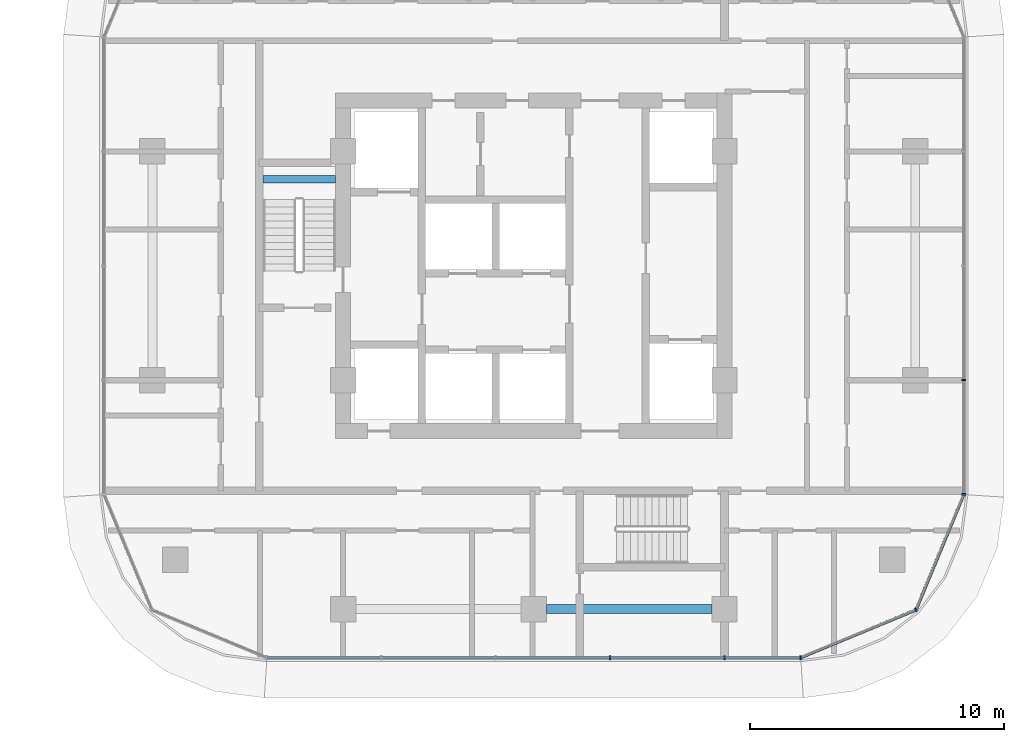
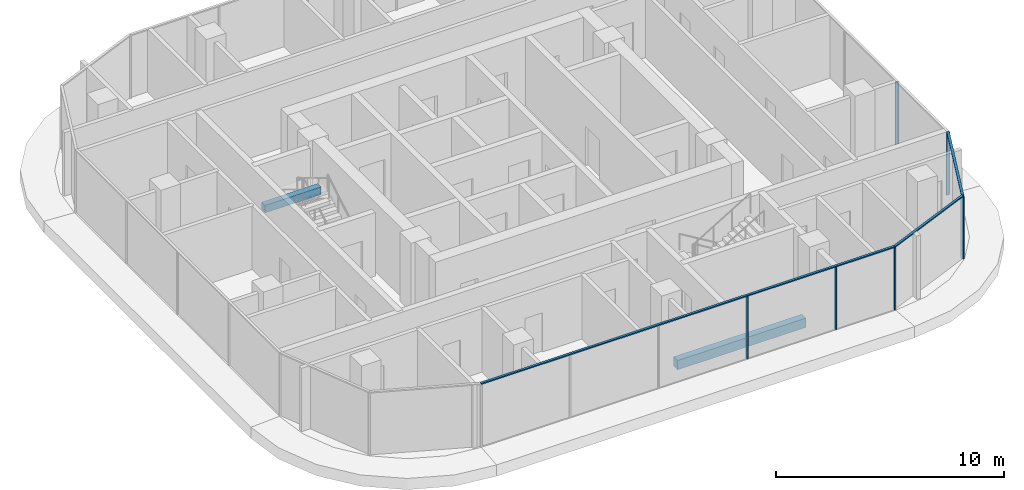
# One storey, part 12 of 36: 9 members, 2 beams, 3 elements without a shape of their own.
"""IFC4 building model written with IfcOpenShell, lengths in metres."""

from ifc_helpers import new_model, si_unit, direction, frame, origin, origin_2d, place, context, subcontext, project, spatial, rectangle, extrude, material, material_profile, profile_set, type_object, element, aggregate, save


model = new_model("IFC4")

# Units and contexts
model_context = context("Model", 3, precision=1e-05, world=origin(), true_north=direction((0.0, 1.0)))
body_context = subcontext(model_context, "Body", "Model", "MODEL_VIEW")
ifc_project = project(units=[si_unit("LENGTHUNIT", "METRE"), si_unit("AREAUNIT", "SQUARE_METRE"), si_unit("VOLUMEUNIT", "CUBIC_METRE"), si_unit("PLANEANGLEUNIT", "RADIAN"), si_unit("MASSUNIT", "GRAM", prefix="KILO")], contexts=[model_context])

# Site, building, storey
site_placement = place(None, origin())
site = spatial("IfcSite", under=ifc_project, at=site_placement, CompositionType="ELEMENT")
building_placement = place(site_placement, origin())
building = spatial("IfcBuilding", under=site, at=building_placement, Name="Ogive Portal Towers", CompositionType="ELEMENT")
storey_placement = place(building_placement, frame((0.0, 0.0, 52.0)))
storey = spatial("IfcBuildingStorey", under=building, at=storey_placement, Name="L11", CompositionType="ELEMENT", Elevation=52.0)

# Beam
ifc_material_1 = material(Name="Concrete C40/50", Category="concrete")
ifc_material_profile_1 = material_profile(ifc_material_1, rectangle(XDim=0.300048828125, YDim=0.39990234375, at=origin_2d()), Name="RC 300x400")
ifc_profile_set_1 = profile_set([ifc_material_profile_1], Name="Concrete C40/50")
beam_type_1 = type_object("IfcBeamType", Name="BEAM RC 300x400", PredefinedType="BEAM", material=ifc_profile_set_1)
beam_1_placement = place(storey_placement, frame((125.85009765625, 34.39990234375, 1.449951171875), z_axis=(1.0, 0.0, 0.0), x_axis=(0.0, 1.0, 0.0)))
element("IfcBeam", 1, at=beam_1_placement, inside=storey, type_object=beam_type_1, Name="Landing beam L11", PredefinedType="BEAM", context=body_context, shape_type="SweptSolid", body=[
    extrude(rectangle(XDim=0.300048828125, YDim=0.39990234375, at=origin_2d()), origin(), (0.0, 0.0, 1.0), 2.849853515625),
])

# Curtain wall, members
ifc_material_2 = material(Name="Glass, clear low-iron insulated glazing", Category="glass")
curtain_wall_type = type_object("IfcCurtainWallType", Name="CW RESIDENCES RIBBON", PredefinedType="NOTDEFINED", material=ifc_material_2)
curtain_wall_1_placement = place(storey_placement, origin())
curtain_wall_1 = element("IfcCurtainWall", 2, at=curtain_wall_1_placement, inside=storey, type_object=curtain_wall_type, Name="B:L11:f02:cw0", PredefinedType="NOTDEFINED")
ifc_material_3 = material(Name="Aluminium 6063 anodised", Category="aluminium")
ifc_material_profile_2 = material_profile(ifc_material_3, rectangle(XDim=0.159912109375, YDim=0.06005859375, at=origin_2d()), Name="AL 60x160")
ifc_profile_set_2 = profile_set([ifc_material_profile_2], Name="Aluminium 6063 anodised")
member_type_1 = type_object("IfcMemberType", Name="CW MULLION 60x160", PredefinedType="MULLION", material=ifc_profile_set_2)
member_1_placement = place(storey_placement, frame((139.5, 15.590087890625, 0.0), z_axis=(0.0, 0.0, 1.0), x_axis=(0.0, 1.0, 0.0)))
member_1 = element("IfcMember", 3, at=member_1_placement, type_object=member_type_1, Name="mullion", PredefinedType="MULLION", context=body_context, shape_type="SweptSolid", body=[
    extrude(rectangle(XDim=0.159912109375, YDim=0.06005859375, at=origin_2d()), origin(), (0.0, 0.0, 1.0), 3.340087890625),
])
member_2_placement = place(storey_placement, frame((144.0, 15.590087890625, 0.0), z_axis=(0.0, 0.0, 1.0), x_axis=(0.0, 1.0, 0.0)))
member_2 = element("IfcMember", 4, at=member_2_placement, type_object=member_type_1, Name="mullion", PredefinedType="MULLION", context=body_context, shape_type="SweptSolid", body=[
    extrude(rectangle(XDim=0.159912109375, YDim=0.06005859375, at=origin_2d()), origin(), (0.0, 0.0, 1.0), 3.340087890625),
])
member_3_placement = place(storey_placement, frame((146.984130859375, 15.590087890625, 0.0), z_axis=(0.0, 0.0, 1.0), x_axis=(0.0, 1.0, 0.0)))
member_3 = element("IfcMember", 5, at=member_3_placement, type_object=member_type_1, Name="mullion", PredefinedType="MULLION", context=body_context, shape_type="SweptSolid", body=[
    extrude(rectangle(XDim=0.159912109375, YDim=0.06005859375, at=origin_2d()), origin(), (0.0, 0.0, 1.0), 3.340087890625),
])

curtain_wall_2_placement = place(storey_placement, origin())
curtain_wall_2 = element("IfcCurtainWall", 6, at=curtain_wall_2_placement, inside=storey, type_object=curtain_wall_type, Name="B:L11:f05:cw0", PredefinedType="NOTDEFINED")
member_4_placement = place(storey_placement, frame((153.409912109375, 22.015869140625, 0.0), z_axis=(0.0, 0.0, 1.0), x_axis=(-1.0, 0.0, 0.0)))
member_4 = element("IfcMember", 7, at=member_4_placement, type_object=member_type_1, Name="mullion", PredefinedType="MULLION", context=body_context, shape_type="SweptSolid", body=[
    extrude(rectangle(XDim=0.159912109375, YDim=0.06005859375, at=origin_2d()), origin(), (0.0, 0.0, 1.0), 3.340087890625),
])
member_5_placement = place(storey_placement, frame((153.409912109375, 26.5, 0.0), z_axis=(0.0, 0.0, 1.0), x_axis=(-1.0, 0.0, 0.0)))
member_5 = element("IfcMember", 8, at=member_5_placement, type_object=member_type_1, Name="mullion", PredefinedType="MULLION", context=body_context, shape_type="SweptSolid", body=[
    extrude(rectangle(XDim=0.159912109375, YDim=0.06005859375, at=origin_2d()), origin(), (0.0, 0.0, 1.0), 3.340087890625),
])
aggregate(curtain_wall_2, [member_4, member_5])

# Curtain wall, member
curtain_wall_3_placement = place(storey_placement, origin())
curtain_wall_3 = element("IfcCurtainWall", 9, at=curtain_wall_3_placement, inside=storey, type_object=curtain_wall_type, Name="B:L11:f03:cwa", PredefinedType="NOTDEFINED")
member_6_placement = place(storey_placement, frame((151.52783203125, 17.47216796875, 0.0), z_axis=(0.0, 0.0, 1.0), x_axis=(-0.382683432365, 0.923879532511, 0.0)))
member_6 = element("IfcMember", 10, at=member_6_placement, type_object=member_type_1, Name="mullion", PredefinedType="MULLION", context=body_context, shape_type="SweptSolid", body=[
    extrude(rectangle(XDim=0.159912109375, YDim=0.06005859375, at=origin_2d()), origin(), (0.0, 0.0, 1.0), 3.340087890625),
])

# Member
ifc_material_profile_3 = material_profile(ifc_material_3, rectangle(XDim=0.1201171875, YDim=0.06005859375, at=origin_2d()), Name="AL 120x60")
ifc_profile_set_3 = profile_set([ifc_material_profile_3], Name="Aluminium 6063 anodised")
member_type_2 = type_object("IfcMemberType", Name="CW TRANSOM 60x120", PredefinedType="USERDEFINED", material=ifc_profile_set_3)
member_7_placement = place(storey_placement, frame((126.015869140625, 15.590087890625, 3.3701171875), z_axis=(1.0, 0.0, 0.0), x_axis=(0.0, 1.0, 0.0)))
member_7 = element("IfcMember", 11, at=member_7_placement, type_object=member_type_2, Name="transom", ObjectType="TRANSOM", PredefinedType="USERDEFINED", context=body_context, shape_type="SweptSolid", body=[
    extrude(rectangle(XDim=0.1201171875, YDim=0.06005859375, at=origin_2d()), origin(), (0.0, 0.0, 1.0), 20.96826171875),
])

aggregate(curtain_wall_1, [member_7, member_1, member_2, member_3])

member_8_placement = place(storey_placement, frame((146.984130859375, 15.590087890625, 3.3701171875), z_axis=(0.923878279534, 0.382686457306, 0.0), x_axis=(-0.382686457306, 0.923878279534, 0.0)))
member_8 = element("IfcMember", 12, at=member_8_placement, type_object=member_type_2, Name="transom", ObjectType="TRANSOM", PredefinedType="USERDEFINED", context=body_context, shape_type="SweptSolid", body=[
    extrude(rectangle(XDim=0.1201171875, YDim=0.06005859375, at=origin_2d()), origin(), (0.0, 0.0, 1.0), 4.91796875),
])

member_9_placement = place(storey_placement, frame((151.52783203125, 17.47216796875, 3.3701171875), z_axis=(0.382686457306, 0.923878279534, 0.0), x_axis=(-0.923878279534, 0.382686457306, 0.0)))
member_9 = element("IfcMember", 13, at=member_9_placement, type_object=member_type_2, Name="transom", ObjectType="TRANSOM", PredefinedType="USERDEFINED", context=body_context, shape_type="SweptSolid", body=[
    extrude(rectangle(XDim=0.1201171875, YDim=0.06005859375, at=origin_2d()), origin(), (0.0, 0.0, 1.0), 4.91796875),
])

aggregate(curtain_wall_3, [member_8, member_9, member_6])

# Beam
ifc_material_4 = material(Name="Concrete C50/60", Category="concrete")
ifc_material_profile_4 = material_profile(ifc_material_4, rectangle(XDim=0.35009765625, YDim=0.5, at=origin_2d()), Name="RC 350x500")
ifc_profile_set_4 = profile_set([ifc_material_profile_4], Name="Concrete C50/60")
beam_type_2 = type_object("IfcBeamType", Name="SPANDREL BEAM RC 350x500", PredefinedType="BEAM", material=ifc_profile_set_4)
beam_2_placement = place(storey_placement, frame((137.0, 17.5, -0.550048828125), z_axis=(1.0, 0.0, 0.0), x_axis=(0.0, 1.0, 0.0)))
element("IfcBeam", 14, at=beam_2_placement, inside=storey, type_object=beam_type_2, Name="Spandrel beam L11", PredefinedType="BEAM", context=body_context, shape_type="SweptSolid", body=[
    extrude(rectangle(XDim=0.35009765625, YDim=0.5, at=origin_2d()), origin(), (0.0, 0.0, 1.0), 6.5),
])

save(model, "model.ifc")
